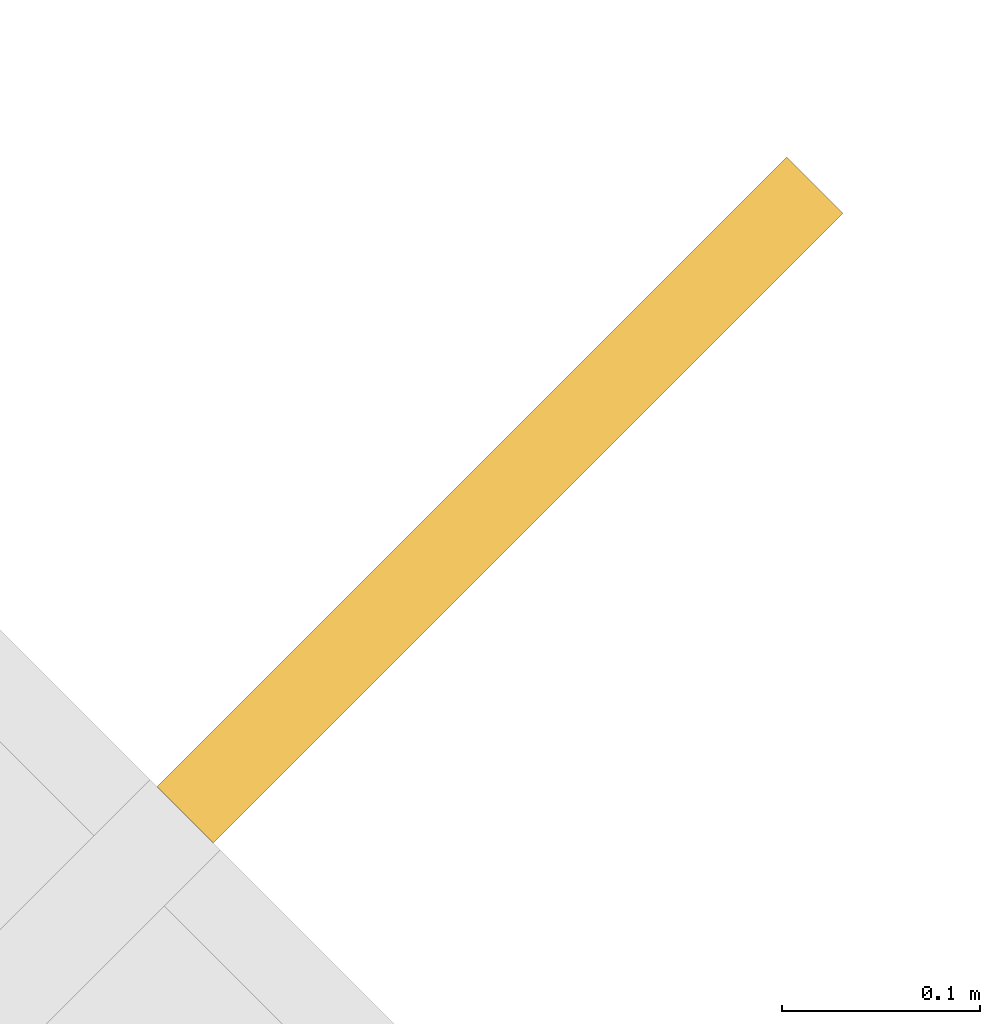
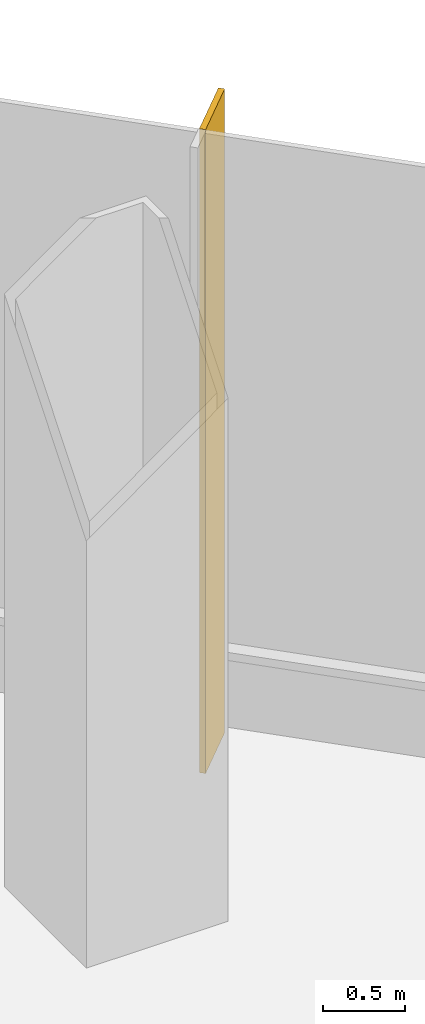
# One storey, part 32 of 33: 1 shading device.
"""IFC4 building model written with IfcOpenShell, lengths in metres."""

import ifcopenshell
import ifcopenshell.guid

model = None  # the IFC model being written
_history = None  # IfcOwnerHistory: only IFC2X3 demands one
_inside = {}  # id of a spatial element -> (the spatial element, [elements in it])
_under = {}  # id of a project, library or spatial element -> (it, [spatial elements below it])
_declared = {}  # id of a project -> (the project, [libraries it declares])
_typed = {}  # id of a type object -> (the type object, [elements of that type])
_made_of = {}  # id of a material, layer set ... -> (it, [elements and type objects made of it])


def new_model(schema):
    """Start an empty IFC model of exactly this schema.

    Asked for "IFC4X3", IfcOpenShell would pick the latest addendum, in which some entities
    have other attributes; the version numbers below select the first issue.
    IFC2X3 requires an IfcOwnerHistory on every rooted entity: one is made here for all.
    """
    global model, _history
    if schema == "IFC4X3":
        model = ifcopenshell.file(schema_version=(4, 3, 0, 0))
    else:
        model = ifcopenshell.file(schema=schema)
    _inside.clear()
    _under.clear()
    _declared.clear()
    _typed.clear()
    _made_of.clear()
    _history = None
    if model.schema == "IFC2X3":
        org = make("IfcOrganization", Name="unknown")
        user = make(
            "IfcPersonAndOrganization",
            ThePerson=make("IfcPerson", FamilyName="unknown"),
            TheOrganization=org,
        )
        app = make(
            "IfcApplication",
            ApplicationDeveloper=org,
            Version="unknown",
            ApplicationFullName="unknown",
            ApplicationIdentifier="unknown",
        )
        _history = make(
            "IfcOwnerHistory",
            OwningUser=user,
            OwningApplication=app,
            ChangeAction="ADDED",
            CreationDate=0,
        )
    return model


def make(cls, **values):
    """One entity of the class cls with the attributes given. An attribute that is None is left unset."""
    return model.create_entity(
        cls, **{name: value for name, value in values.items() if value is not None}
    )


def rooted(cls, **values):
    """An entity with a GlobalId (a new one), such as an element, a storey or a relation."""
    return make(cls, GlobalId=ifcopenshell.guid.new(), OwnerHistory=_history, **values)


def si_unit(unit_type, name, prefix=None):
    """IfcSIUnit, for example si_unit("LENGTHUNIT", "METRE", prefix="MILLI")."""
    return make("IfcSIUnit", UnitType=unit_type, Prefix=prefix, Name=name)


def assignment(units):
    """IfcUnitAssignment: the units of a project."""
    return None if units is None else make("IfcUnitAssignment", Units=units)


def point(xyz):
    """IfcCartesianPoint."""
    return None if xyz is None else make("IfcCartesianPoint", Coordinates=xyz)


def direction(xyz):
    """IfcDirection."""
    return None if xyz is None else make("IfcDirection", DirectionRatios=xyz)


def frame(location, z_axis=None, x_axis=None):
    """IfcAxis2Placement3D, a coordinate frame: its origin and axes. An axis left out is left unset."""
    return make(
        "IfcAxis2Placement3D",
        Location=point(location),
        Axis=direction(z_axis),
        RefDirection=direction(x_axis),
    )


def frame_2d(location, x_axis=None):
    """IfcAxis2Placement2D, a coordinate frame in the plane: its origin and x axis."""
    return make(
        "IfcAxis2Placement2D", Location=point(location), RefDirection=direction(x_axis)
    )


def origin():
    """The frame at (0, 0, 0) with its axes left unset."""
    return frame((0.0, 0.0, 0.0))


def origin_2d():
    """The frame at (0, 0) in the plane with its x axis left unset."""
    return frame_2d((0.0, 0.0))


def place(relative_to, where):
    """IfcLocalPlacement: puts the frame where relative to a parent placement (None: the world)."""
    return make(
        "IfcLocalPlacement", PlacementRelTo=relative_to, RelativePlacement=where
    )


def context(
    kind, dimensions, precision=None, world=None, true_north=None, identifier=None
):
    """IfcGeometricRepresentationContext, for example the 3D "Model" context."""
    return make(
        "IfcGeometricRepresentationContext",
        ContextIdentifier=identifier,
        ContextType=kind,
        CoordinateSpaceDimension=dimensions,
        Precision=precision,
        WorldCoordinateSystem=world,
        TrueNorth=true_north,
    )


def subcontext(parent, identifier, kind, view, scale=None):
    """IfcGeometricRepresentationSubContext, for example "Body" below "Model"."""
    return make(
        "IfcGeometricRepresentationSubContext",
        ContextIdentifier=identifier,
        ContextType=kind,
        ParentContext=parent,
        TargetScale=scale,
        TargetView=view,
    )


def project(units=None, contexts=None):
    """IfcProject with its units and contexts."""
    return rooted(
        "IfcProject",
        Name="project",
        RepresentationContexts=contexts,
        UnitsInContext=assignment(units),
    )


def spatial(cls, under=None, at=None, **own):
    """A site, building, storey or space (cls), placed at a placement, below another one or the project."""
    s = rooted(cls, ObjectPlacement=at, **own)
    if under is not None:
        _under.setdefault(under.id(), (under, []))[1].append(s)
    return s


def profile(cls, at=None, kind="AREA", **sizes):
    """A parametric profile (cls). Its sizes go by their IFC names, for example OverallWidth=200.0."""
    return make(cls, ProfileType=kind, Position=at, **sizes)


def rectangle(**sizes):
    """IfcRectangleProfileDef."""
    return profile("IfcRectangleProfileDef", **sizes)


def extrude(swept, where, along, depth):
    """IfcExtrudedAreaSolid: the profile swept, set in the frame where, extruded along a direction by depth."""
    return make(
        "IfcExtrudedAreaSolid",
        SweptArea=swept,
        Position=where,
        ExtrudedDirection=direction(along),
        Depth=depth,
    )


def shape(context_of_items, identifier, shape_type, items):
    """IfcShapeRepresentation: the items that make up one representation, for example the "Body"."""
    return make(
        "IfcShapeRepresentation",
        ContextOfItems=context_of_items,
        RepresentationIdentifier=identifier,
        RepresentationType=shape_type,
        Items=items,
    )


def material(Name=None, Category=None):
    """IfcMaterial."""
    return make("IfcMaterial", Name=Name, Category=Category)


def material_profile(
    of_material, cross_section, Name=None, Category=None, Priority=None
):
    """IfcMaterialProfile: a cross section and its material."""
    return make(
        "IfcMaterialProfile",
        Name=Name,
        Material=of_material,
        Profile=cross_section,
        Priority=Priority,
        Category=Category,
    )


def profile_set(profiles, Name=None, composite=None):
    """IfcMaterialProfileSet."""
    return make(
        "IfcMaterialProfileSet",
        Name=Name,
        MaterialProfiles=profiles,
        CompositeProfile=composite,
    )


def made_of(thing, what):
    """Note that an element or type object is made of a material, layer set ...; save() writes the relation."""
    if what is not None:
        _made_of.setdefault(what.id(), (what, []))[1].append(thing)
    return thing


def type_object(cls, material=None, **own):
    """A type object (cls), such as IfcWallType, which elements share."""
    return made_of(rooted(cls, **own), material)


def element(
    cls,
    number,
    at=None,
    inside=None,
    cuts=None,
    type_object=None,
    material=None,
    context=None,
    identifier="Body",
    shape_type=None,
    held_by="IfcProductDefinitionShape",
    body=None,
    shapes=None,
    **own,
):
    """One element of the class cls, such as IfcWall. Its Tag is "e" and its number.

    at: its placement. inside: the storey or other place that contains it. cuts: it is an
    opening in that element (IfcRelVoidsElement). A single representation is given by context,
    identifier, shape_type and body (its items); several are given by shapes. held_by: the class
    of the entity that holds the representations. save() writes the other relations.
    """
    e = rooted(cls, Tag="e%d" % number, ObjectPlacement=at, **own)
    if body is not None:
        shapes = [shape(context, identifier, shape_type, body)]
    if shapes is not None:
        e.Representation = make(held_by, Representations=shapes)
    if inside is not None:
        _inside.setdefault(inside.id(), (inside, []))[1].append(e)
    if cuts is not None:
        rooted(
            "IfcRelVoidsElement", RelatingBuildingElement=cuts, RelatedOpeningElement=e
        )
    if type_object is not None:
        _typed.setdefault(type_object.id(), (type_object, []))[1].append(e)
    return made_of(e, material)


def aggregate(whole, parts):
    """IfcRelAggregates: a whole, such as a stair, and the parts it consists of."""
    return rooted("IfcRelAggregates", RelatingObject=whole, RelatedObjects=parts)


def save(model, path):
    """Write the relations noted so far, then the file.

    IfcRelAggregates (storeys below a building ...), IfcRelContainedInSpatialStructure (elements
    in a storey), IfcRelDefinesByType, IfcRelAssociatesMaterial and IfcRelDeclares: one each for
    every whole, place, type object, material and project.
    """
    for whole, parts in _under.values():
        aggregate(whole, parts)
    for where, things in _inside.values():
        rooted(
            "IfcRelContainedInSpatialStructure",
            RelatedElements=things,
            RelatingStructure=where,
        )
    for kind, things in _typed.values():
        rooted("IfcRelDefinesByType", RelatedObjects=things, RelatingType=kind)
    for what, things in _made_of.values():
        rooted("IfcRelAssociatesMaterial", RelatedObjects=things, RelatingMaterial=what)
    for by, libraries in _declared.values():
        rooted("IfcRelDeclares", RelatingContext=by, RelatedDefinitions=libraries)
    model.write(path)


model = new_model("IFC4")

# Units and contexts
model_context = context("Model", 3, precision=1e-05, world=origin(), true_north=direction((0.0, 1.0)))
body_context = subcontext(model_context, "Body", "Model", "MODEL_VIEW")
ifc_project = project(units=[si_unit("LENGTHUNIT", "METRE"), si_unit("AREAUNIT", "SQUARE_METRE"), si_unit("VOLUMEUNIT", "CUBIC_METRE"), si_unit("PLANEANGLEUNIT", "RADIAN"), si_unit("MASSUNIT", "GRAM", prefix="KILO")], contexts=[model_context])

# Site, building, storey
site_placement = place(None, origin())
site = spatial("IfcSite", under=ifc_project, at=site_placement, CompositionType="ELEMENT")
building_placement = place(site_placement, origin())
building = spatial("IfcBuilding", under=site, at=building_placement, Name="Sorahane Residences", CompositionType="ELEMENT")
storey_placement = place(building_placement, frame((0.0, 0.0, 30.0)))
storey = spatial("IfcBuildingStorey", under=building, at=storey_placement, Name="L04", CompositionType="ELEMENT", Elevation=30.0)

# Shading device
ifc_material = material(Name="Terracotta anodised aluminium", Category="masonry")
ifc_material_profile = material_profile(ifc_material, rectangle(XDim=0.449951171875, YDim=0.0400390625, at=origin_2d()), Name="Podium vertical fin terracotta anodised aluminium 450x40")
ifc_profile_set = profile_set([ifc_material_profile], Name="Terracotta anodised aluminium")
shading_device_type = type_object("IfcShadingDeviceType", Name="Podium vertical fin terracotta anodised aluminium 450x40", PredefinedType="USERDEFINED", material=ifc_profile_set)
shading_device_placement = place(storey_placement, frame((67.597412109375, 49.597412109375, -0.39990234375), z_axis=(0.0, 0.0, 1.0), x_axis=(0.707106781187, 0.707106781187, 0.0)))
element("IfcShadingDevice", 1, at=shading_device_placement, inside=storey, type_object=shading_device_type, Name="Podium vertical fin L04 NE1.1", ObjectType="Vertical fin", PredefinedType="USERDEFINED", context=body_context, shape_type="SweptSolid", body=[
    extrude(rectangle(XDim=0.449951171875, YDim=0.0400390625, at=origin_2d()), origin(), (0.0, 0.0, 1.0), 4.7998046875),
])

save(model, "model.ifc")
